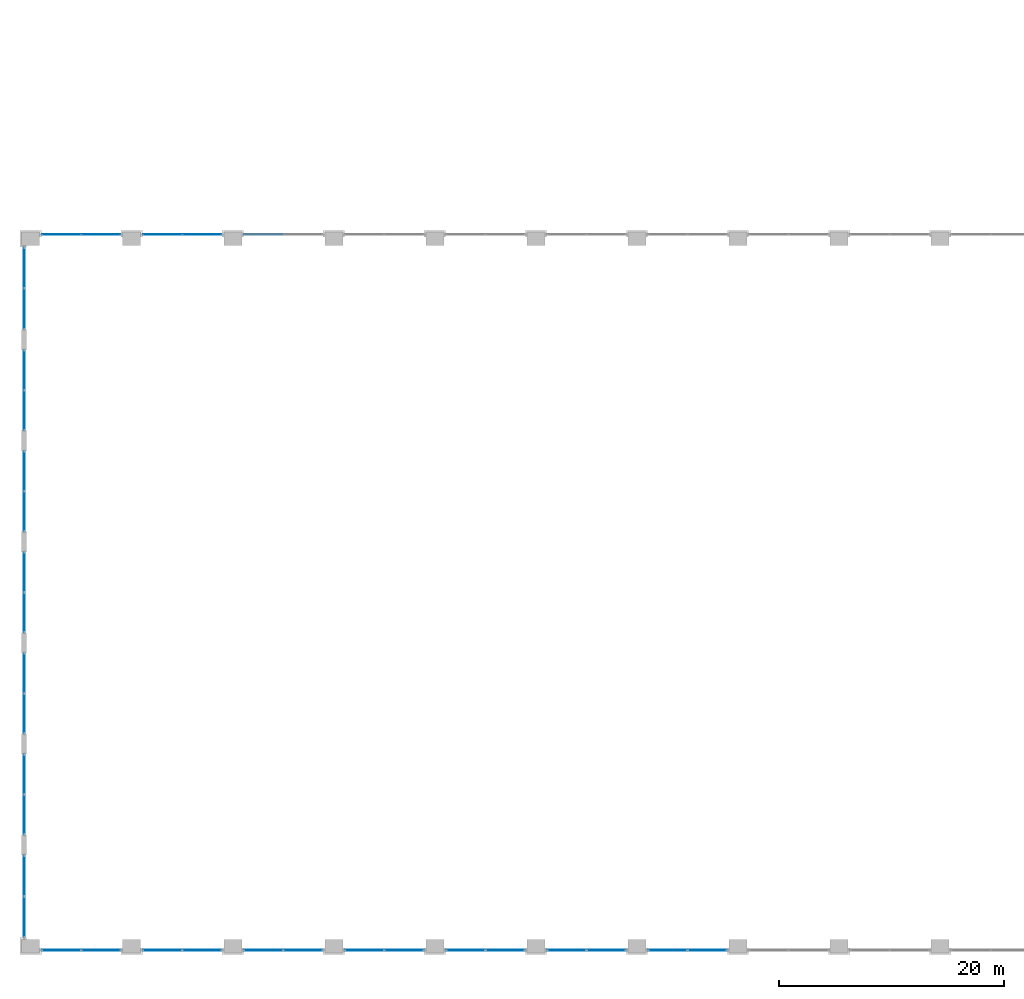
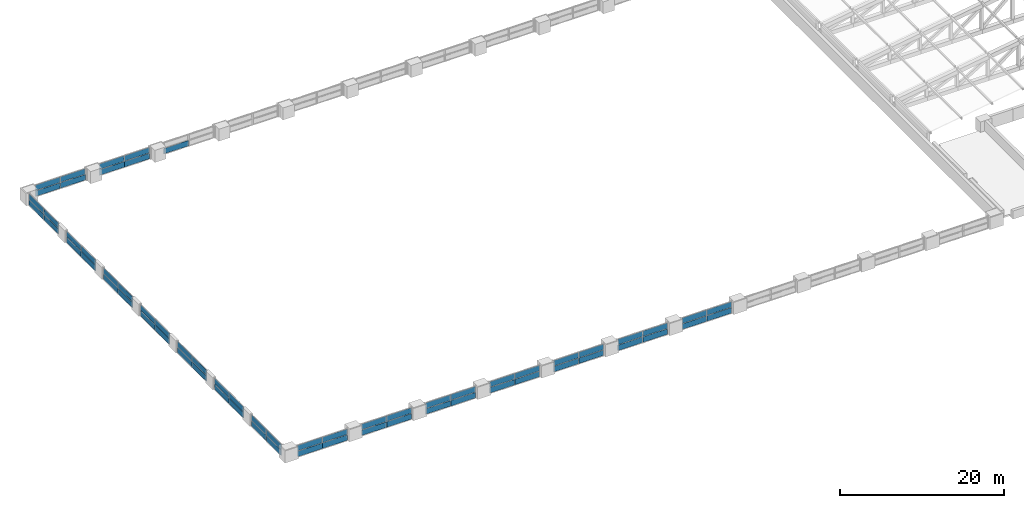
# One storey, part 15 of 32: 65 plates, 17 elements without a shape of their own.
"""IFC4 building model written with IfcOpenShell, lengths in metres."""

from ifc_helpers import new_model, si_unit, direction, frame, origin, origin_2d, place, context, subcontext, project, spatial, rectangle, extrude, material, layer, layer_set, type_object, element, aggregate, save


model = new_model("IFC4")

# Units and contexts
model_context = context("Model", 3, precision=1e-05, world=origin(), true_north=direction((0.0, 1.0)))
body_context = subcontext(model_context, "Body", "Model", "MODEL_VIEW")
ifc_project = project(units=[si_unit("LENGTHUNIT", "METRE"), si_unit("AREAUNIT", "SQUARE_METRE"), si_unit("VOLUMEUNIT", "CUBIC_METRE"), si_unit("PLANEANGLEUNIT", "RADIAN"), si_unit("MASSUNIT", "GRAM", prefix="KILO")], contexts=[model_context])

# Site, building, storey
site_placement = place(None, origin())
site = spatial("IfcSite", under=ifc_project, at=site_placement, CompositionType="ELEMENT")
building_placement = place(site_placement, origin())
building = spatial("IfcBuilding", under=site, at=building_placement, Name="Aravalli Gate Trade Fair Centre", CompositionType="ELEMENT")
storey_placement = place(building_placement, frame((0.0, 0.0, 23.39990234375)))
storey = spatial("IfcBuildingStorey", under=building, at=storey_placement, Name="ROOF LEVEL 1", CompositionType="ELEMENT", Elevation=23.39990234375)

# Curtain wall, plates
ifc_material_1 = material(Name="Aluminium, glass and louvre", Category="aluminium")
curtain_wall_type = type_object("IfcCurtainWallType", Name="Hall crown curtain wall 3000 module", PredefinedType="NOTDEFINED", material=ifc_material_1)
curtain_wall_1_placement = place(storey_placement, origin())
curtain_wall_1 = element("IfcCurtainWall", 1, at=curtain_wall_1_placement, inside=storey, type_object=curtain_wall_type, Name="Hall south crown curtain wall bay 1 ROOF LEVEL 1", PredefinedType="NOTDEFINED")
ifc_material_2 = material(Name="Glass, double glazed", Category="glass")
ifc_layer_1 = layer(ifc_material_2, 0.028076171875)
ifc_layer_set_1 = layer_set([ifc_layer_1], Name="Glass, double glazed")
plate_type_1 = type_object("IfcPlateType", Name="Hall curtain wall panel, glass 28", PredefinedType="CURTAIN_PANEL", material=ifc_layer_set_1)
plate_1_placement = place(storey_placement, frame((8.739990234375, 45.625, 0.93017578125), z_axis=(0.0, 0.0, 1.0), x_axis=(1.0, 0.0, 0.0)))
plate_1 = element("IfcPlate", 2, at=plate_1_placement, type_object=plate_type_1, Name="HCW1 panel 1.2", PredefinedType="CURTAIN_PANEL", context=body_context, shape_type="SweptSolid", body=[
    extrude(rectangle(XDim=3.4599609375, YDim=0.028076171875, at=origin_2d()), origin(), (0.0, 0.0, 1.0), 0.81005859375),
])
plate_2_placement = place(storey_placement, frame((12.260009765625, 45.625, 0.93017578125), z_axis=(0.0, 0.0, 1.0), x_axis=(1.0, 0.0, 0.0)))
plate_2 = element("IfcPlate", 3, at=plate_2_placement, type_object=plate_type_1, Name="HCW1 panel 2.2", PredefinedType="CURTAIN_PANEL", context=body_context, shape_type="SweptSolid", body=[
    extrude(rectangle(XDim=3.4599609375, YDim=0.028076171875, at=origin_2d()), origin(), (0.0, 0.0, 1.0), 0.81005859375),
])

curtain_wall_2_placement = place(storey_placement, origin())
curtain_wall_2 = element("IfcCurtainWall", 4, at=curtain_wall_2_placement, inside=storey, type_object=curtain_wall_type, Name="Hall north crown curtain wall bay 1 ROOF LEVEL 1", PredefinedType="NOTDEFINED")
plate_3_placement = place(storey_placement, frame((8.739990234375, 109.375, 0.93017578125), z_axis=(0.0, 0.0, 1.0), x_axis=(1.0, 0.0, 0.0)))
plate_3 = element("IfcPlate", 5, at=plate_3_placement, type_object=plate_type_1, Name="HCW1 panel 1.2", PredefinedType="CURTAIN_PANEL", context=body_context, shape_type="SweptSolid", body=[
    extrude(rectangle(XDim=3.4599609375, YDim=0.028076171875, at=origin_2d()), origin(), (0.0, 0.0, 1.0), 0.81005859375),
])
plate_4_placement = place(storey_placement, frame((12.260009765625, 109.375, 0.93017578125), z_axis=(0.0, 0.0, 1.0), x_axis=(1.0, 0.0, 0.0)))
plate_4 = element("IfcPlate", 6, at=plate_4_placement, type_object=plate_type_1, Name="HCW1 panel 2.2", PredefinedType="CURTAIN_PANEL", context=body_context, shape_type="SweptSolid", body=[
    extrude(rectangle(XDim=3.4599609375, YDim=0.028076171875, at=origin_2d()), origin(), (0.0, 0.0, 1.0), 0.81005859375),
])

curtain_wall_3_placement = place(storey_placement, origin())
curtain_wall_3 = element("IfcCurtainWall", 7, at=curtain_wall_3_placement, inside=storey, type_object=curtain_wall_type, Name="Hall south crown curtain wall bay 2 ROOF LEVEL 1", PredefinedType="NOTDEFINED")
plate_5_placement = place(storey_placement, frame((17.739990234375, 45.625, 0.93017578125), z_axis=(0.0, 0.0, 1.0), x_axis=(1.0, 0.0, 0.0)))
plate_5 = element("IfcPlate", 8, at=plate_5_placement, type_object=plate_type_1, Name="HCW1 panel 1.2", PredefinedType="CURTAIN_PANEL", context=body_context, shape_type="SweptSolid", body=[
    extrude(rectangle(XDim=3.4599609375, YDim=0.028076171875, at=origin_2d()), origin(), (0.0, 0.0, 1.0), 0.81005859375),
])
plate_6_placement = place(storey_placement, frame((21.260009765625, 45.625, 0.93017578125), z_axis=(0.0, 0.0, 1.0), x_axis=(1.0, 0.0, 0.0)))
plate_6 = element("IfcPlate", 9, at=plate_6_placement, type_object=plate_type_1, Name="HCW1 panel 2.2", PredefinedType="CURTAIN_PANEL", context=body_context, shape_type="SweptSolid", body=[
    extrude(rectangle(XDim=3.4599609375, YDim=0.028076171875, at=origin_2d()), origin(), (0.0, 0.0, 1.0), 0.81005859375),
])

curtain_wall_4_placement = place(storey_placement, origin())
curtain_wall_4 = element("IfcCurtainWall", 10, at=curtain_wall_4_placement, inside=storey, type_object=curtain_wall_type, Name="Hall north crown curtain wall bay 2 ROOF LEVEL 1", PredefinedType="NOTDEFINED")
plate_7_placement = place(storey_placement, frame((17.739990234375, 109.375, 0.93017578125), z_axis=(0.0, 0.0, 1.0), x_axis=(1.0, 0.0, 0.0)))
plate_7 = element("IfcPlate", 11, at=plate_7_placement, type_object=plate_type_1, Name="HCW1 panel 1.2", PredefinedType="CURTAIN_PANEL", context=body_context, shape_type="SweptSolid", body=[
    extrude(rectangle(XDim=3.4599609375, YDim=0.028076171875, at=origin_2d()), origin(), (0.0, 0.0, 1.0), 0.81005859375),
])
plate_8_placement = place(storey_placement, frame((21.260009765625, 109.375, 0.93017578125), z_axis=(0.0, 0.0, 1.0), x_axis=(1.0, 0.0, 0.0)))
plate_8 = element("IfcPlate", 12, at=plate_8_placement, type_object=plate_type_1, Name="HCW1 panel 2.2", PredefinedType="CURTAIN_PANEL", context=body_context, shape_type="SweptSolid", body=[
    extrude(rectangle(XDim=3.4599609375, YDim=0.028076171875, at=origin_2d()), origin(), (0.0, 0.0, 1.0), 0.81005859375),
])

curtain_wall_5_placement = place(storey_placement, origin())
curtain_wall_5 = element("IfcCurtainWall", 13, at=curtain_wall_5_placement, inside=storey, type_object=curtain_wall_type, Name="Hall south crown curtain wall bay 3 ROOF LEVEL 1", PredefinedType="NOTDEFINED")
plate_9_placement = place(storey_placement, frame((26.739990234375, 45.625, 0.93017578125), z_axis=(0.0, 0.0, 1.0), x_axis=(1.0, 0.0, 0.0)))
plate_9 = element("IfcPlate", 14, at=plate_9_placement, type_object=plate_type_1, Name="HCW1 panel 1.2", PredefinedType="CURTAIN_PANEL", context=body_context, shape_type="SweptSolid", body=[
    extrude(rectangle(XDim=3.4599609375, YDim=0.028076171875, at=origin_2d()), origin(), (0.0, 0.0, 1.0), 0.81005859375),
])
plate_10_placement = place(storey_placement, frame((30.260009765625, 45.625, 0.93017578125), z_axis=(0.0, 0.0, 1.0), x_axis=(1.0, 0.0, 0.0)))
plate_10 = element("IfcPlate", 15, at=plate_10_placement, type_object=plate_type_1, Name="HCW1 panel 2.2", PredefinedType="CURTAIN_PANEL", context=body_context, shape_type="SweptSolid", body=[
    extrude(rectangle(XDim=3.4599609375, YDim=0.028076171875, at=origin_2d()), origin(), (0.0, 0.0, 1.0), 0.81005859375),
])

curtain_wall_6_placement = place(storey_placement, origin())
curtain_wall_6 = element("IfcCurtainWall", 16, at=curtain_wall_6_placement, inside=storey, type_object=curtain_wall_type, Name="Hall south crown curtain wall bay 4 ROOF LEVEL 1", PredefinedType="NOTDEFINED")
plate_11_placement = place(storey_placement, frame((35.739990234375, 45.625, 0.93017578125), z_axis=(0.0, 0.0, 1.0), x_axis=(1.0, 0.0, 0.0)))
plate_11 = element("IfcPlate", 17, at=plate_11_placement, type_object=plate_type_1, Name="HCW1 panel 1.2", PredefinedType="CURTAIN_PANEL", context=body_context, shape_type="SweptSolid", body=[
    extrude(rectangle(XDim=3.4599609375, YDim=0.028076171875, at=origin_2d()), origin(), (0.0, 0.0, 1.0), 0.81005859375),
])
plate_12_placement = place(storey_placement, frame((39.260009765625, 45.625, 0.93017578125), z_axis=(0.0, 0.0, 1.0), x_axis=(1.0, 0.0, 0.0)))
plate_12 = element("IfcPlate", 18, at=plate_12_placement, type_object=plate_type_1, Name="HCW1 panel 2.2", PredefinedType="CURTAIN_PANEL", context=body_context, shape_type="SweptSolid", body=[
    extrude(rectangle(XDim=3.4599609375, YDim=0.028076171875, at=origin_2d()), origin(), (0.0, 0.0, 1.0), 0.81005859375),
])

curtain_wall_7_placement = place(storey_placement, origin())
curtain_wall_7 = element("IfcCurtainWall", 19, at=curtain_wall_7_placement, inside=storey, type_object=curtain_wall_type, Name="Hall south crown curtain wall bay 5 ROOF LEVEL 1", PredefinedType="NOTDEFINED")
plate_13_placement = place(storey_placement, frame((44.739990234375, 45.625, 0.93017578125), z_axis=(0.0, 0.0, 1.0), x_axis=(1.0, 0.0, 0.0)))
plate_13 = element("IfcPlate", 20, at=plate_13_placement, type_object=plate_type_1, Name="HCW1 panel 1.2", PredefinedType="CURTAIN_PANEL", context=body_context, shape_type="SweptSolid", body=[
    extrude(rectangle(XDim=3.4599609375, YDim=0.028076171875, at=origin_2d()), origin(), (0.0, 0.0, 1.0), 0.81005859375),
])
plate_14_placement = place(storey_placement, frame((48.260009765625, 45.625, 0.93017578125), z_axis=(0.0, 0.0, 1.0), x_axis=(1.0, 0.0, 0.0)))
plate_14 = element("IfcPlate", 21, at=plate_14_placement, type_object=plate_type_1, Name="HCW1 panel 2.2", PredefinedType="CURTAIN_PANEL", context=body_context, shape_type="SweptSolid", body=[
    extrude(rectangle(XDim=3.4599609375, YDim=0.028076171875, at=origin_2d()), origin(), (0.0, 0.0, 1.0), 0.81005859375),
])

curtain_wall_8_placement = place(storey_placement, origin())
curtain_wall_8 = element("IfcCurtainWall", 22, at=curtain_wall_8_placement, inside=storey, type_object=curtain_wall_type, Name="Hall south crown curtain wall bay 6 ROOF LEVEL 1", PredefinedType="NOTDEFINED")
plate_15_placement = place(storey_placement, frame((53.739990234375, 45.625, 0.93017578125), z_axis=(0.0, 0.0, 1.0), x_axis=(1.0, 0.0, 0.0)))
plate_15 = element("IfcPlate", 23, at=plate_15_placement, type_object=plate_type_1, Name="HCW1 panel 1.2", PredefinedType="CURTAIN_PANEL", context=body_context, shape_type="SweptSolid", body=[
    extrude(rectangle(XDim=3.4599609375, YDim=0.028076171875, at=origin_2d()), origin(), (0.0, 0.0, 1.0), 0.81005859375),
])
plate_16_placement = place(storey_placement, frame((57.260009765625, 45.625, 0.93017578125), z_axis=(0.0, 0.0, 1.0), x_axis=(1.0, 0.0, 0.0)))
plate_16 = element("IfcPlate", 24, at=plate_16_placement, type_object=plate_type_1, Name="HCW1 panel 2.2", PredefinedType="CURTAIN_PANEL", context=body_context, shape_type="SweptSolid", body=[
    extrude(rectangle(XDim=3.4599609375, YDim=0.028076171875, at=origin_2d()), origin(), (0.0, 0.0, 1.0), 0.81005859375),
])

curtain_wall_9_placement = place(storey_placement, origin())
curtain_wall_9 = element("IfcCurtainWall", 25, at=curtain_wall_9_placement, inside=storey, type_object=curtain_wall_type, Name="Hall south crown curtain wall bay 7 ROOF LEVEL 1", PredefinedType="NOTDEFINED")
plate_17_placement = place(storey_placement, frame((62.739990234375, 45.625, 0.93017578125), z_axis=(0.0, 0.0, 1.0), x_axis=(1.0, 0.0, 0.0)))
plate_17 = element("IfcPlate", 26, at=plate_17_placement, type_object=plate_type_1, Name="HCW1 panel 1.2", PredefinedType="CURTAIN_PANEL", context=body_context, shape_type="SweptSolid", body=[
    extrude(rectangle(XDim=3.4599609375, YDim=0.028076171875, at=origin_2d()), origin(), (0.0, 0.0, 1.0), 0.81005859375),
])
plate_18_placement = place(storey_placement, frame((66.260009765625, 45.625, 0.93017578125), z_axis=(0.0, 0.0, 1.0), x_axis=(1.0, 0.0, 0.0)))
plate_18 = element("IfcPlate", 27, at=plate_18_placement, type_object=plate_type_1, Name="HCW1 panel 2.2", PredefinedType="CURTAIN_PANEL", context=body_context, shape_type="SweptSolid", body=[
    extrude(rectangle(XDim=3.4599609375, YDim=0.028076171875, at=origin_2d()), origin(), (0.0, 0.0, 1.0), 0.81005859375),
])

curtain_wall_10_placement = place(storey_placement, origin())
curtain_wall_10 = element("IfcCurtainWall", 28, at=curtain_wall_10_placement, inside=storey, type_object=curtain_wall_type, Name="Hall west crown curtain wall 1 ROOF LEVEL 1", PredefinedType="NOTDEFINED")
plate_19_placement = place(storey_placement, frame((5.425048828125, 48.6025390625, 0.93017578125), z_axis=(0.0, 0.0, 1.0), x_axis=(0.0, 1.0, 0.0)))
plate_19 = element("IfcPlate", 29, at=plate_19_placement, type_object=plate_type_1, Name="HCW1 panel 1.2", PredefinedType="CURTAIN_PANEL", context=body_context, shape_type="SweptSolid", body=[
    extrude(rectangle(XDim=3.5849609375, YDim=0.028076171875, at=origin_2d()), origin(), (0.0, 0.0, 1.0), 0.81005859375),
])
plate_20_placement = place(storey_placement, frame((5.425048828125, 52.24755859375, 0.93017578125), z_axis=(0.0, 0.0, 1.0), x_axis=(0.0, 1.0, 0.0)))
plate_20 = element("IfcPlate", 30, at=plate_20_placement, type_object=plate_type_1, Name="HCW1 panel 2.2", PredefinedType="CURTAIN_PANEL", context=body_context, shape_type="SweptSolid", body=[
    extrude(rectangle(XDim=3.5849609375, YDim=0.028076171875, at=origin_2d()), origin(), (0.0, 0.0, 1.0), 0.81005859375),
])

curtain_wall_11_placement = place(storey_placement, origin())
curtain_wall_11 = element("IfcCurtainWall", 31, at=curtain_wall_11_placement, inside=storey, type_object=curtain_wall_type, Name="Hall west crown curtain wall 2 ROOF LEVEL 1", PredefinedType="NOTDEFINED")
plate_21_placement = place(storey_placement, frame((5.425048828125, 57.715087890625, 0.93017578125), z_axis=(0.0, 0.0, 1.0), x_axis=(0.0, 1.0, 0.0)))
plate_21 = element("IfcPlate", 32, at=plate_21_placement, type_object=plate_type_1, Name="HCW1 panel 1.2", PredefinedType="CURTAIN_PANEL", context=body_context, shape_type="SweptSolid", body=[
    extrude(rectangle(XDim=3.510009765625, YDim=0.028076171875, at=origin_2d()), origin(), (0.0, 0.0, 1.0), 0.81005859375),
])
plate_22_placement = place(storey_placement, frame((5.425048828125, 61.284912109375, 0.93017578125), z_axis=(0.0, 0.0, 1.0), x_axis=(0.0, 1.0, 0.0)))
plate_22 = element("IfcPlate", 33, at=plate_22_placement, type_object=plate_type_1, Name="HCW1 panel 2.2", PredefinedType="CURTAIN_PANEL", context=body_context, shape_type="SweptSolid", body=[
    extrude(rectangle(XDim=3.510009765625, YDim=0.028076171875, at=origin_2d()), origin(), (0.0, 0.0, 1.0), 0.81005859375),
])

curtain_wall_12_placement = place(storey_placement, origin())
curtain_wall_12 = element("IfcCurtainWall", 34, at=curtain_wall_12_placement, inside=storey, type_object=curtain_wall_type, Name="Hall west crown curtain wall 3 ROOF LEVEL 1", PredefinedType="NOTDEFINED")
plate_23_placement = place(storey_placement, frame((5.425048828125, 66.715087890625, 0.93017578125), z_axis=(0.0, 0.0, 1.0), x_axis=(0.0, 1.0, 0.0)))
plate_23 = element("IfcPlate", 35, at=plate_23_placement, type_object=plate_type_1, Name="HCW1 panel 1.2", PredefinedType="CURTAIN_PANEL", context=body_context, shape_type="SweptSolid", body=[
    extrude(rectangle(XDim=3.510009765625, YDim=0.028076171875, at=origin_2d()), origin(), (0.0, 0.0, 1.0), 0.81005859375),
])
plate_24_placement = place(storey_placement, frame((5.425048828125, 70.284912109375, 0.93017578125), z_axis=(0.0, 0.0, 1.0), x_axis=(0.0, 1.0, 0.0)))
plate_24 = element("IfcPlate", 36, at=plate_24_placement, type_object=plate_type_1, Name="HCW1 panel 2.2", PredefinedType="CURTAIN_PANEL", context=body_context, shape_type="SweptSolid", body=[
    extrude(rectangle(XDim=3.510009765625, YDim=0.028076171875, at=origin_2d()), origin(), (0.0, 0.0, 1.0), 0.81005859375),
])

curtain_wall_13_placement = place(storey_placement, origin())
curtain_wall_13 = element("IfcCurtainWall", 37, at=curtain_wall_13_placement, inside=storey, type_object=curtain_wall_type, Name="Hall west crown curtain wall 4 ROOF LEVEL 1", PredefinedType="NOTDEFINED")
plate_25_placement = place(storey_placement, frame((5.425048828125, 75.715087890625, 0.93017578125), z_axis=(0.0, 0.0, 1.0), x_axis=(0.0, 1.0, 0.0)))
plate_25 = element("IfcPlate", 38, at=plate_25_placement, type_object=plate_type_1, Name="HCW1 panel 1.2", PredefinedType="CURTAIN_PANEL", context=body_context, shape_type="SweptSolid", body=[
    extrude(rectangle(XDim=3.510009765625, YDim=0.028076171875, at=origin_2d()), origin(), (0.0, 0.0, 1.0), 0.81005859375),
])
plate_26_placement = place(storey_placement, frame((5.425048828125, 79.284912109375, 0.93017578125), z_axis=(0.0, 0.0, 1.0), x_axis=(0.0, 1.0, 0.0)))
plate_26 = element("IfcPlate", 39, at=plate_26_placement, type_object=plate_type_1, Name="HCW1 panel 2.2", PredefinedType="CURTAIN_PANEL", context=body_context, shape_type="SweptSolid", body=[
    extrude(rectangle(XDim=3.510009765625, YDim=0.028076171875, at=origin_2d()), origin(), (0.0, 0.0, 1.0), 0.81005859375),
])

curtain_wall_14_placement = place(storey_placement, origin())
curtain_wall_14 = element("IfcCurtainWall", 40, at=curtain_wall_14_placement, inside=storey, type_object=curtain_wall_type, Name="Hall west crown curtain wall 5 ROOF LEVEL 1", PredefinedType="NOTDEFINED")
plate_27_placement = place(storey_placement, frame((5.425048828125, 84.715087890625, 0.93017578125), z_axis=(0.0, 0.0, 1.0), x_axis=(0.0, 1.0, 0.0)))
plate_27 = element("IfcPlate", 41, at=plate_27_placement, type_object=plate_type_1, Name="HCW1 panel 1.2", PredefinedType="CURTAIN_PANEL", context=body_context, shape_type="SweptSolid", body=[
    extrude(rectangle(XDim=3.510009765625, YDim=0.028076171875, at=origin_2d()), origin(), (0.0, 0.0, 1.0), 0.81005859375),
])
plate_28_placement = place(storey_placement, frame((5.425048828125, 88.284912109375, 0.93017578125), z_axis=(0.0, 0.0, 1.0), x_axis=(0.0, 1.0, 0.0)))
plate_28 = element("IfcPlate", 42, at=plate_28_placement, type_object=plate_type_1, Name="HCW1 panel 2.2", PredefinedType="CURTAIN_PANEL", context=body_context, shape_type="SweptSolid", body=[
    extrude(rectangle(XDim=3.510009765625, YDim=0.028076171875, at=origin_2d()), origin(), (0.0, 0.0, 1.0), 0.81005859375),
])

curtain_wall_15_placement = place(storey_placement, origin())
curtain_wall_15 = element("IfcCurtainWall", 43, at=curtain_wall_15_placement, inside=storey, type_object=curtain_wall_type, Name="Hall west crown curtain wall 6 ROOF LEVEL 1", PredefinedType="NOTDEFINED")
plate_29_placement = place(storey_placement, frame((5.425048828125, 93.715087890625, 0.93017578125), z_axis=(0.0, 0.0, 1.0), x_axis=(0.0, 1.0, 0.0)))
plate_29 = element("IfcPlate", 44, at=plate_29_placement, type_object=plate_type_1, Name="HCW1 panel 1.2", PredefinedType="CURTAIN_PANEL", context=body_context, shape_type="SweptSolid", body=[
    extrude(rectangle(XDim=3.510009765625, YDim=0.028076171875, at=origin_2d()), origin(), (0.0, 0.0, 1.0), 0.81005859375),
])
plate_30_placement = place(storey_placement, frame((5.425048828125, 97.284912109375, 0.93017578125), z_axis=(0.0, 0.0, 1.0), x_axis=(0.0, 1.0, 0.0)))
plate_30 = element("IfcPlate", 45, at=plate_30_placement, type_object=plate_type_1, Name="HCW1 panel 2.2", PredefinedType="CURTAIN_PANEL", context=body_context, shape_type="SweptSolid", body=[
    extrude(rectangle(XDim=3.510009765625, YDim=0.028076171875, at=origin_2d()), origin(), (0.0, 0.0, 1.0), 0.81005859375),
])

curtain_wall_16_placement = place(storey_placement, origin())
curtain_wall_16 = element("IfcCurtainWall", 46, at=curtain_wall_16_placement, inside=storey, type_object=curtain_wall_type, Name="Hall west crown curtain wall 7 ROOF LEVEL 1", PredefinedType="NOTDEFINED")
plate_31_placement = place(storey_placement, frame((5.425048828125, 102.75244140625, 0.93017578125), z_axis=(0.0, 0.0, 1.0), x_axis=(0.0, 1.0, 0.0)))
plate_31 = element("IfcPlate", 47, at=plate_31_placement, type_object=plate_type_1, Name="HCW1 panel 1.2", PredefinedType="CURTAIN_PANEL", context=body_context, shape_type="SweptSolid", body=[
    extrude(rectangle(XDim=3.5849609375, YDim=0.028076171875, at=origin_2d()), origin(), (0.0, 0.0, 1.0), 0.81005859375),
])
plate_32_placement = place(storey_placement, frame((5.425048828125, 106.3974609375, 0.93017578125), z_axis=(0.0, 0.0, 1.0), x_axis=(0.0, 1.0, 0.0)))
plate_32 = element("IfcPlate", 48, at=plate_32_placement, type_object=plate_type_1, Name="HCW1 panel 2.2", PredefinedType="CURTAIN_PANEL", context=body_context, shape_type="SweptSolid", body=[
    extrude(rectangle(XDim=3.5849609375, YDim=0.028076171875, at=origin_2d()), origin(), (0.0, 0.0, 1.0), 0.81005859375),
])

# Plate
ifc_material_3 = material(Name="Aluminium louvre blades", Category="aluminium")
ifc_layer_2 = layer(ifc_material_3, 0.06005859375)
ifc_layer_set_2 = layer_set([ifc_layer_2], Name="Aluminium louvre blades")
plate_type_2 = type_object("IfcPlateType", Name="Hall curtain wall panel, louvre 60", PredefinedType="CURTAIN_PANEL", material=ifc_layer_set_2)
plate_33_placement = place(storey_placement, frame((8.739990234375, 45.625, 0.06005859375), z_axis=(0.0, 0.0, 1.0), x_axis=(1.0, 0.0, 0.0)))
plate_33 = element("IfcPlate", 49, at=plate_33_placement, type_object=plate_type_2, Name="HCW1 panel 1.1", PredefinedType="CURTAIN_PANEL", context=body_context, shape_type="SweptSolid", body=[
    extrude(rectangle(XDim=3.4599609375, YDim=0.06005859375, at=origin_2d()), origin(), (0.0, 0.0, 1.0), 0.81005859375),
])

plate_34_placement = place(storey_placement, frame((12.260009765625, 45.625, 0.06005859375), z_axis=(0.0, 0.0, 1.0), x_axis=(1.0, 0.0, 0.0)))
plate_34 = element("IfcPlate", 50, at=plate_34_placement, type_object=plate_type_2, Name="HCW1 panel 2.1", PredefinedType="CURTAIN_PANEL", context=body_context, shape_type="SweptSolid", body=[
    extrude(rectangle(XDim=3.4599609375, YDim=0.06005859375, at=origin_2d()), origin(), (0.0, 0.0, 1.0), 0.81005859375),
])

aggregate(curtain_wall_1, [plate_33, plate_1, plate_34, plate_2])

plate_35_placement = place(storey_placement, frame((8.739990234375, 109.375, 0.06005859375), z_axis=(0.0, 0.0, 1.0), x_axis=(1.0, 0.0, 0.0)))
plate_35 = element("IfcPlate", 51, at=plate_35_placement, type_object=plate_type_2, Name="HCW1 panel 1.1", PredefinedType="CURTAIN_PANEL", context=body_context, shape_type="SweptSolid", body=[
    extrude(rectangle(XDim=3.4599609375, YDim=0.06005859375, at=origin_2d()), origin(), (0.0, 0.0, 1.0), 0.81005859375),
])

plate_36_placement = place(storey_placement, frame((12.260009765625, 109.375, 0.06005859375), z_axis=(0.0, 0.0, 1.0), x_axis=(1.0, 0.0, 0.0)))
plate_36 = element("IfcPlate", 52, at=plate_36_placement, type_object=plate_type_2, Name="HCW1 panel 2.1", PredefinedType="CURTAIN_PANEL", context=body_context, shape_type="SweptSolid", body=[
    extrude(rectangle(XDim=3.4599609375, YDim=0.06005859375, at=origin_2d()), origin(), (0.0, 0.0, 1.0), 0.81005859375),
])

aggregate(curtain_wall_2, [plate_35, plate_3, plate_36, plate_4])

plate_37_placement = place(storey_placement, frame((17.739990234375, 45.625, 0.06005859375), z_axis=(0.0, 0.0, 1.0), x_axis=(1.0, 0.0, 0.0)))
plate_37 = element("IfcPlate", 53, at=plate_37_placement, type_object=plate_type_2, Name="HCW1 panel 1.1", PredefinedType="CURTAIN_PANEL", context=body_context, shape_type="SweptSolid", body=[
    extrude(rectangle(XDim=3.4599609375, YDim=0.06005859375, at=origin_2d()), origin(), (0.0, 0.0, 1.0), 0.81005859375),
])

plate_38_placement = place(storey_placement, frame((21.260009765625, 45.625, 0.06005859375), z_axis=(0.0, 0.0, 1.0), x_axis=(1.0, 0.0, 0.0)))
plate_38 = element("IfcPlate", 54, at=plate_38_placement, type_object=plate_type_2, Name="HCW1 panel 2.1", PredefinedType="CURTAIN_PANEL", context=body_context, shape_type="SweptSolid", body=[
    extrude(rectangle(XDim=3.4599609375, YDim=0.06005859375, at=origin_2d()), origin(), (0.0, 0.0, 1.0), 0.81005859375),
])

aggregate(curtain_wall_3, [plate_37, plate_5, plate_38, plate_6])

plate_39_placement = place(storey_placement, frame((17.739990234375, 109.375, 0.06005859375), z_axis=(0.0, 0.0, 1.0), x_axis=(1.0, 0.0, 0.0)))
plate_39 = element("IfcPlate", 55, at=plate_39_placement, type_object=plate_type_2, Name="HCW1 panel 1.1", PredefinedType="CURTAIN_PANEL", context=body_context, shape_type="SweptSolid", body=[
    extrude(rectangle(XDim=3.4599609375, YDim=0.06005859375, at=origin_2d()), origin(), (0.0, 0.0, 1.0), 0.81005859375),
])

plate_40_placement = place(storey_placement, frame((21.260009765625, 109.375, 0.06005859375), z_axis=(0.0, 0.0, 1.0), x_axis=(1.0, 0.0, 0.0)))
plate_40 = element("IfcPlate", 56, at=plate_40_placement, type_object=plate_type_2, Name="HCW1 panel 2.1", PredefinedType="CURTAIN_PANEL", context=body_context, shape_type="SweptSolid", body=[
    extrude(rectangle(XDim=3.4599609375, YDim=0.06005859375, at=origin_2d()), origin(), (0.0, 0.0, 1.0), 0.81005859375),
])

aggregate(curtain_wall_4, [plate_39, plate_7, plate_40, plate_8])

plate_41_placement = place(storey_placement, frame((26.739990234375, 45.625, 0.06005859375), z_axis=(0.0, 0.0, 1.0), x_axis=(1.0, 0.0, 0.0)))
plate_41 = element("IfcPlate", 57, at=plate_41_placement, type_object=plate_type_2, Name="HCW1 panel 1.1", PredefinedType="CURTAIN_PANEL", context=body_context, shape_type="SweptSolid", body=[
    extrude(rectangle(XDim=3.4599609375, YDim=0.06005859375, at=origin_2d()), origin(), (0.0, 0.0, 1.0), 0.81005859375),
])

plate_42_placement = place(storey_placement, frame((30.260009765625, 45.625, 0.06005859375), z_axis=(0.0, 0.0, 1.0), x_axis=(1.0, 0.0, 0.0)))
plate_42 = element("IfcPlate", 58, at=plate_42_placement, type_object=plate_type_2, Name="HCW1 panel 2.1", PredefinedType="CURTAIN_PANEL", context=body_context, shape_type="SweptSolid", body=[
    extrude(rectangle(XDim=3.4599609375, YDim=0.06005859375, at=origin_2d()), origin(), (0.0, 0.0, 1.0), 0.81005859375),
])

aggregate(curtain_wall_5, [plate_41, plate_9, plate_42, plate_10])

# Curtain wall, plate
curtain_wall_17_placement = place(storey_placement, origin())
curtain_wall_17 = element("IfcCurtainWall", 59, at=curtain_wall_17_placement, inside=storey, type_object=curtain_wall_type, Name="Hall north crown curtain wall bay 3 ROOF LEVEL 1", PredefinedType="NOTDEFINED")
plate_43_placement = place(storey_placement, frame((26.739990234375, 109.375, 0.06005859375), z_axis=(0.0, 0.0, 1.0), x_axis=(1.0, 0.0, 0.0)))
plate_43 = element("IfcPlate", 60, at=plate_43_placement, type_object=plate_type_2, Name="HCW1 panel 1.1", PredefinedType="CURTAIN_PANEL", context=body_context, shape_type="SweptSolid", body=[
    extrude(rectangle(XDim=3.4599609375, YDim=0.06005859375, at=origin_2d()), origin(), (0.0, 0.0, 1.0), 0.81005859375),
])
aggregate(curtain_wall_17, [plate_43])

# Plate
plate_44_placement = place(storey_placement, frame((35.739990234375, 45.625, 0.06005859375), z_axis=(0.0, 0.0, 1.0), x_axis=(1.0, 0.0, 0.0)))
plate_44 = element("IfcPlate", 61, at=plate_44_placement, type_object=plate_type_2, Name="HCW1 panel 1.1", PredefinedType="CURTAIN_PANEL", context=body_context, shape_type="SweptSolid", body=[
    extrude(rectangle(XDim=3.4599609375, YDim=0.06005859375, at=origin_2d()), origin(), (0.0, 0.0, 1.0), 0.81005859375),
])

plate_45_placement = place(storey_placement, frame((39.260009765625, 45.625, 0.06005859375), z_axis=(0.0, 0.0, 1.0), x_axis=(1.0, 0.0, 0.0)))
plate_45 = element("IfcPlate", 62, at=plate_45_placement, type_object=plate_type_2, Name="HCW1 panel 2.1", PredefinedType="CURTAIN_PANEL", context=body_context, shape_type="SweptSolid", body=[
    extrude(rectangle(XDim=3.4599609375, YDim=0.06005859375, at=origin_2d()), origin(), (0.0, 0.0, 1.0), 0.81005859375),
])

aggregate(curtain_wall_6, [plate_44, plate_11, plate_45, plate_12])

plate_46_placement = place(storey_placement, frame((44.739990234375, 45.625, 0.06005859375), z_axis=(0.0, 0.0, 1.0), x_axis=(1.0, 0.0, 0.0)))
plate_46 = element("IfcPlate", 63, at=plate_46_placement, type_object=plate_type_2, Name="HCW1 panel 1.1", PredefinedType="CURTAIN_PANEL", context=body_context, shape_type="SweptSolid", body=[
    extrude(rectangle(XDim=3.4599609375, YDim=0.06005859375, at=origin_2d()), origin(), (0.0, 0.0, 1.0), 0.81005859375),
])

plate_47_placement = place(storey_placement, frame((48.260009765625, 45.625, 0.06005859375), z_axis=(0.0, 0.0, 1.0), x_axis=(1.0, 0.0, 0.0)))
plate_47 = element("IfcPlate", 64, at=plate_47_placement, type_object=plate_type_2, Name="HCW1 panel 2.1", PredefinedType="CURTAIN_PANEL", context=body_context, shape_type="SweptSolid", body=[
    extrude(rectangle(XDim=3.4599609375, YDim=0.06005859375, at=origin_2d()), origin(), (0.0, 0.0, 1.0), 0.81005859375),
])

aggregate(curtain_wall_7, [plate_46, plate_13, plate_47, plate_14])

plate_48_placement = place(storey_placement, frame((53.739990234375, 45.625, 0.06005859375), z_axis=(0.0, 0.0, 1.0), x_axis=(1.0, 0.0, 0.0)))
plate_48 = element("IfcPlate", 65, at=plate_48_placement, type_object=plate_type_2, Name="HCW1 panel 1.1", PredefinedType="CURTAIN_PANEL", context=body_context, shape_type="SweptSolid", body=[
    extrude(rectangle(XDim=3.4599609375, YDim=0.06005859375, at=origin_2d()), origin(), (0.0, 0.0, 1.0), 0.81005859375),
])

plate_49_placement = place(storey_placement, frame((57.260009765625, 45.625, 0.06005859375), z_axis=(0.0, 0.0, 1.0), x_axis=(1.0, 0.0, 0.0)))
plate_49 = element("IfcPlate", 66, at=plate_49_placement, type_object=plate_type_2, Name="HCW1 panel 2.1", PredefinedType="CURTAIN_PANEL", context=body_context, shape_type="SweptSolid", body=[
    extrude(rectangle(XDim=3.4599609375, YDim=0.06005859375, at=origin_2d()), origin(), (0.0, 0.0, 1.0), 0.81005859375),
])

aggregate(curtain_wall_8, [plate_48, plate_15, plate_49, plate_16])

plate_50_placement = place(storey_placement, frame((62.739990234375, 45.625, 0.06005859375), z_axis=(0.0, 0.0, 1.0), x_axis=(1.0, 0.0, 0.0)))
plate_50 = element("IfcPlate", 67, at=plate_50_placement, type_object=plate_type_2, Name="HCW1 panel 1.1", PredefinedType="CURTAIN_PANEL", context=body_context, shape_type="SweptSolid", body=[
    extrude(rectangle(XDim=3.4599609375, YDim=0.06005859375, at=origin_2d()), origin(), (0.0, 0.0, 1.0), 0.81005859375),
])

plate_51_placement = place(storey_placement, frame((66.260009765625, 45.625, 0.06005859375), z_axis=(0.0, 0.0, 1.0), x_axis=(1.0, 0.0, 0.0)))
plate_51 = element("IfcPlate", 68, at=plate_51_placement, type_object=plate_type_2, Name="HCW1 panel 2.1", PredefinedType="CURTAIN_PANEL", context=body_context, shape_type="SweptSolid", body=[
    extrude(rectangle(XDim=3.4599609375, YDim=0.06005859375, at=origin_2d()), origin(), (0.0, 0.0, 1.0), 0.81005859375),
])

aggregate(curtain_wall_9, [plate_50, plate_17, plate_51, plate_18])

plate_52_placement = place(storey_placement, frame((5.425048828125, 48.6025390625, 0.06005859375), z_axis=(0.0, 0.0, 1.0), x_axis=(0.0, 1.0, 0.0)))
plate_52 = element("IfcPlate", 69, at=plate_52_placement, type_object=plate_type_2, Name="HCW1 panel 1.1", PredefinedType="CURTAIN_PANEL", context=body_context, shape_type="SweptSolid", body=[
    extrude(rectangle(XDim=3.5849609375, YDim=0.06005859375, at=origin_2d()), origin(), (0.0, 0.0, 1.0), 0.81005859375),
])

plate_53_placement = place(storey_placement, frame((5.425048828125, 52.24755859375, 0.06005859375), z_axis=(0.0, 0.0, 1.0), x_axis=(0.0, 1.0, 0.0)))
plate_53 = element("IfcPlate", 70, at=plate_53_placement, type_object=plate_type_2, Name="HCW1 panel 2.1", PredefinedType="CURTAIN_PANEL", context=body_context, shape_type="SweptSolid", body=[
    extrude(rectangle(XDim=3.5849609375, YDim=0.06005859375, at=origin_2d()), origin(), (0.0, 0.0, 1.0), 0.81005859375),
])

aggregate(curtain_wall_10, [plate_52, plate_19, plate_53, plate_20])

plate_54_placement = place(storey_placement, frame((5.425048828125, 57.715087890625, 0.06005859375), z_axis=(0.0, 0.0, 1.0), x_axis=(0.0, 1.0, 0.0)))
plate_54 = element("IfcPlate", 71, at=plate_54_placement, type_object=plate_type_2, Name="HCW1 panel 1.1", PredefinedType="CURTAIN_PANEL", context=body_context, shape_type="SweptSolid", body=[
    extrude(rectangle(XDim=3.510009765625, YDim=0.06005859375, at=origin_2d()), origin(), (0.0, 0.0, 1.0), 0.81005859375),
])

plate_55_placement = place(storey_placement, frame((5.425048828125, 61.284912109375, 0.06005859375), z_axis=(0.0, 0.0, 1.0), x_axis=(0.0, 1.0, 0.0)))
plate_55 = element("IfcPlate", 72, at=plate_55_placement, type_object=plate_type_2, Name="HCW1 panel 2.1", PredefinedType="CURTAIN_PANEL", context=body_context, shape_type="SweptSolid", body=[
    extrude(rectangle(XDim=3.510009765625, YDim=0.06005859375, at=origin_2d()), origin(), (0.0, 0.0, 1.0), 0.81005859375),
])

aggregate(curtain_wall_11, [plate_54, plate_21, plate_55, plate_22])

plate_56_placement = place(storey_placement, frame((5.425048828125, 66.715087890625, 0.06005859375), z_axis=(0.0, 0.0, 1.0), x_axis=(0.0, 1.0, 0.0)))
plate_56 = element("IfcPlate", 73, at=plate_56_placement, type_object=plate_type_2, Name="HCW1 panel 1.1", PredefinedType="CURTAIN_PANEL", context=body_context, shape_type="SweptSolid", body=[
    extrude(rectangle(XDim=3.510009765625, YDim=0.06005859375, at=origin_2d()), origin(), (0.0, 0.0, 1.0), 0.81005859375),
])

plate_57_placement = place(storey_placement, frame((5.425048828125, 70.284912109375, 0.06005859375), z_axis=(0.0, 0.0, 1.0), x_axis=(0.0, 1.0, 0.0)))
plate_57 = element("IfcPlate", 74, at=plate_57_placement, type_object=plate_type_2, Name="HCW1 panel 2.1", PredefinedType="CURTAIN_PANEL", context=body_context, shape_type="SweptSolid", body=[
    extrude(rectangle(XDim=3.510009765625, YDim=0.06005859375, at=origin_2d()), origin(), (0.0, 0.0, 1.0), 0.81005859375),
])

aggregate(curtain_wall_12, [plate_56, plate_23, plate_57, plate_24])

plate_58_placement = place(storey_placement, frame((5.425048828125, 75.715087890625, 0.06005859375), z_axis=(0.0, 0.0, 1.0), x_axis=(0.0, 1.0, 0.0)))
plate_58 = element("IfcPlate", 75, at=plate_58_placement, type_object=plate_type_2, Name="HCW1 panel 1.1", PredefinedType="CURTAIN_PANEL", context=body_context, shape_type="SweptSolid", body=[
    extrude(rectangle(XDim=3.510009765625, YDim=0.06005859375, at=origin_2d()), origin(), (0.0, 0.0, 1.0), 0.81005859375),
])

plate_59_placement = place(storey_placement, frame((5.425048828125, 79.284912109375, 0.06005859375), z_axis=(0.0, 0.0, 1.0), x_axis=(0.0, 1.0, 0.0)))
plate_59 = element("IfcPlate", 76, at=plate_59_placement, type_object=plate_type_2, Name="HCW1 panel 2.1", PredefinedType="CURTAIN_PANEL", context=body_context, shape_type="SweptSolid", body=[
    extrude(rectangle(XDim=3.510009765625, YDim=0.06005859375, at=origin_2d()), origin(), (0.0, 0.0, 1.0), 0.81005859375),
])

aggregate(curtain_wall_13, [plate_58, plate_25, plate_59, plate_26])

plate_60_placement = place(storey_placement, frame((5.425048828125, 84.715087890625, 0.06005859375), z_axis=(0.0, 0.0, 1.0), x_axis=(0.0, 1.0, 0.0)))
plate_60 = element("IfcPlate", 77, at=plate_60_placement, type_object=plate_type_2, Name="HCW1 panel 1.1", PredefinedType="CURTAIN_PANEL", context=body_context, shape_type="SweptSolid", body=[
    extrude(rectangle(XDim=3.510009765625, YDim=0.06005859375, at=origin_2d()), origin(), (0.0, 0.0, 1.0), 0.81005859375),
])

plate_61_placement = place(storey_placement, frame((5.425048828125, 88.284912109375, 0.06005859375), z_axis=(0.0, 0.0, 1.0), x_axis=(0.0, 1.0, 0.0)))
plate_61 = element("IfcPlate", 78, at=plate_61_placement, type_object=plate_type_2, Name="HCW1 panel 2.1", PredefinedType="CURTAIN_PANEL", context=body_context, shape_type="SweptSolid", body=[
    extrude(rectangle(XDim=3.510009765625, YDim=0.06005859375, at=origin_2d()), origin(), (0.0, 0.0, 1.0), 0.81005859375),
])

aggregate(curtain_wall_14, [plate_60, plate_27, plate_61, plate_28])

plate_62_placement = place(storey_placement, frame((5.425048828125, 93.715087890625, 0.06005859375), z_axis=(0.0, 0.0, 1.0), x_axis=(0.0, 1.0, 0.0)))
plate_62 = element("IfcPlate", 79, at=plate_62_placement, type_object=plate_type_2, Name="HCW1 panel 1.1", PredefinedType="CURTAIN_PANEL", context=body_context, shape_type="SweptSolid", body=[
    extrude(rectangle(XDim=3.510009765625, YDim=0.06005859375, at=origin_2d()), origin(), (0.0, 0.0, 1.0), 0.81005859375),
])

plate_63_placement = place(storey_placement, frame((5.425048828125, 97.284912109375, 0.06005859375), z_axis=(0.0, 0.0, 1.0), x_axis=(0.0, 1.0, 0.0)))
plate_63 = element("IfcPlate", 80, at=plate_63_placement, type_object=plate_type_2, Name="HCW1 panel 2.1", PredefinedType="CURTAIN_PANEL", context=body_context, shape_type="SweptSolid", body=[
    extrude(rectangle(XDim=3.510009765625, YDim=0.06005859375, at=origin_2d()), origin(), (0.0, 0.0, 1.0), 0.81005859375),
])

aggregate(curtain_wall_15, [plate_62, plate_29, plate_63, plate_30])

plate_64_placement = place(storey_placement, frame((5.425048828125, 102.75244140625, 0.06005859375), z_axis=(0.0, 0.0, 1.0), x_axis=(0.0, 1.0, 0.0)))
plate_64 = element("IfcPlate", 81, at=plate_64_placement, type_object=plate_type_2, Name="HCW1 panel 1.1", PredefinedType="CURTAIN_PANEL", context=body_context, shape_type="SweptSolid", body=[
    extrude(rectangle(XDim=3.5849609375, YDim=0.06005859375, at=origin_2d()), origin(), (0.0, 0.0, 1.0), 0.81005859375),
])

plate_65_placement = place(storey_placement, frame((5.425048828125, 106.3974609375, 0.06005859375), z_axis=(0.0, 0.0, 1.0), x_axis=(0.0, 1.0, 0.0)))
plate_65 = element("IfcPlate", 82, at=plate_65_placement, type_object=plate_type_2, Name="HCW1 panel 2.1", PredefinedType="CURTAIN_PANEL", context=body_context, shape_type="SweptSolid", body=[
    extrude(rectangle(XDim=3.5849609375, YDim=0.06005859375, at=origin_2d()), origin(), (0.0, 0.0, 1.0), 0.81005859375),
])

aggregate(curtain_wall_16, [plate_64, plate_31, plate_65, plate_32])

save(model, "model.ifc")
